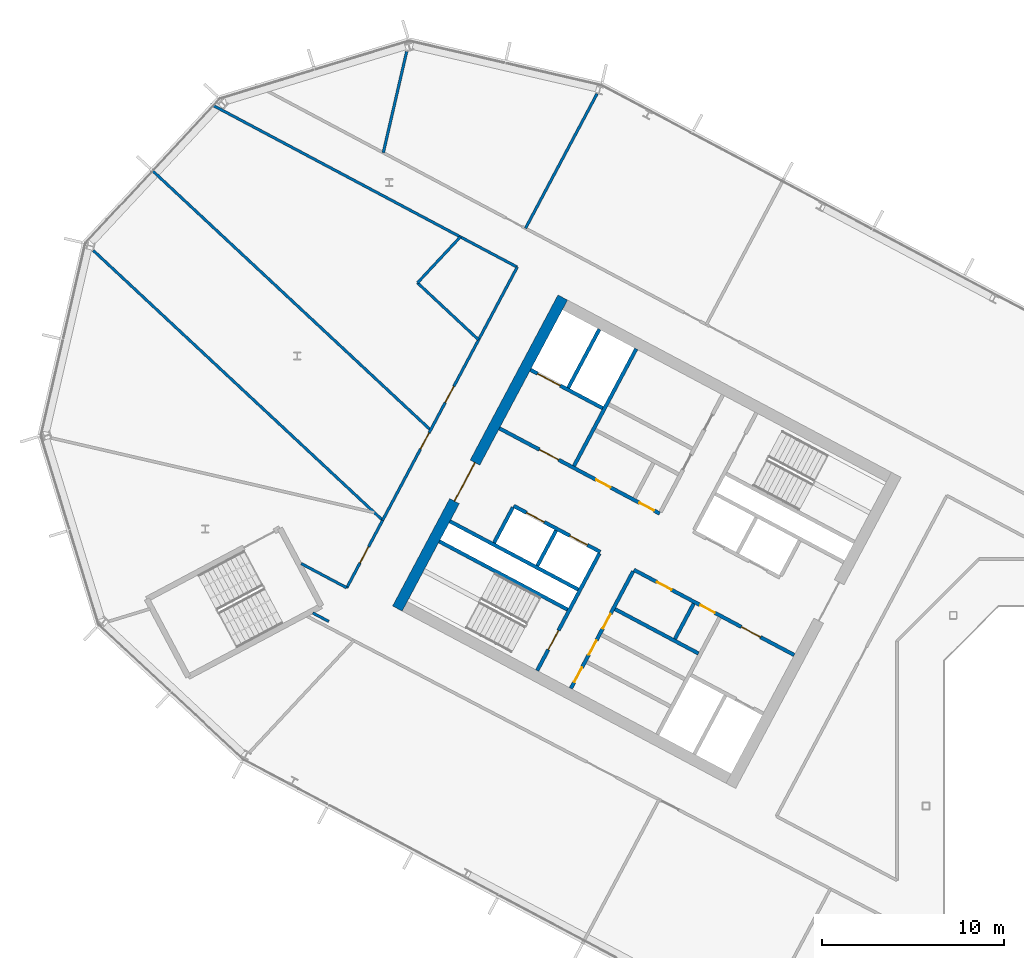
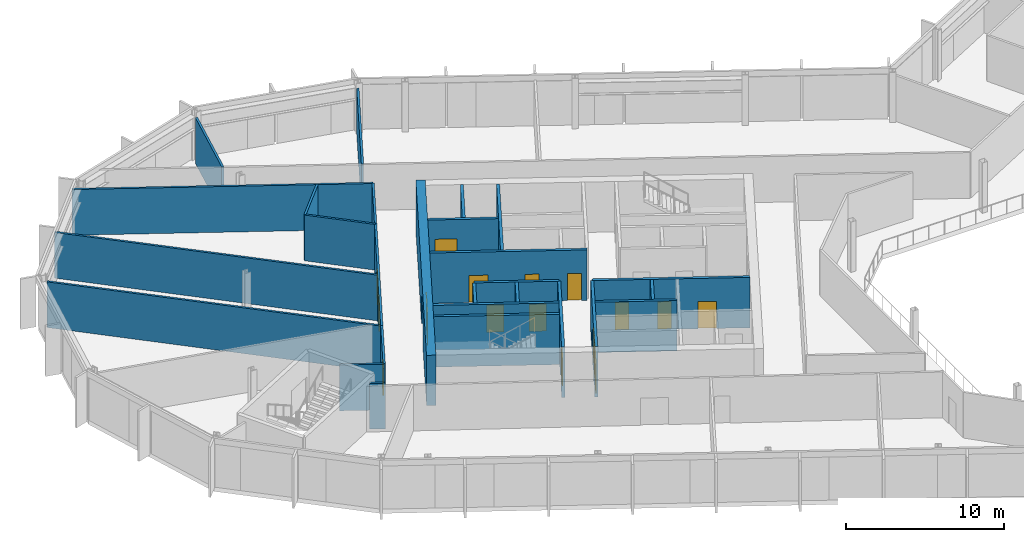
# One storey, part 13 of 26: 26 walls, 17 doors, 17 openings.
"""IFC4 building model written with IfcOpenShell, lengths in metres."""

from ifc_helpers import new_model, si_unit, direction, frame, frame_2d, origin, place, context, subcontext, project, spatial, rectangle, extrude, material, layer, layer_set, type_object, element, fill, save


model = new_model("IFC4")

# Units and contexts
model_context = context("Model", 3, precision=1e-05, world=origin(), true_north=direction((0.0, 1.0)))
body_context = subcontext(model_context, "Body", "Model", "MODEL_VIEW")
ifc_project = project(units=[si_unit("LENGTHUNIT", "METRE"), si_unit("AREAUNIT", "SQUARE_METRE"), si_unit("VOLUMEUNIT", "CUBIC_METRE"), si_unit("PLANEANGLEUNIT", "RADIAN"), si_unit("MASSUNIT", "GRAM", prefix="KILO")], contexts=[model_context])

# Site, building, storey
site_placement = place(None, origin())
site = spatial("IfcSite", under=ifc_project, at=site_placement, CompositionType="ELEMENT")
building_placement = place(site_placement, origin())
building = spatial("IfcBuilding", under=site, at=building_placement, Name="Cormorant Relay Tower", CompositionType="ELEMENT")
storey_placement = place(building_placement, frame((0.0, 0.0, 213.0)))
storey = spatial("IfcBuildingStorey", under=building, at=storey_placement, Name="L46", CompositionType="ELEMENT", Elevation=213.0)

# Walls
ifc_material_1 = material(Name="Concrete 40 MPa", Category="concrete")
ifc_layer_1 = layer(ifc_material_1, 0.199951171875)
ifc_layer_set_1 = layer_set([ifc_layer_1], Name="Core internal wall 200")
wall_type_1 = type_object("IfcWallType", Name="Core internal wall 200", PredefinedType="SOLIDWALL", material=ifc_layer_set_1)
for number, where, z_axis, x_axis, name in (
    (1, (-24.79052734375, 11.142822265625, 0.0), (0.0, 0.0, 1.0), (-0.469487830541, -0.882938942948, 0.0), "L46 core A shaft and room wall"),
    (2, (-32.3662109375, 15.1708984375, 0.0), (0.0, 0.0, 1.0), (-0.469487830541, -0.882938942948, 0.0), "L46 core A shaft and room wall"),
):
    element("IfcWall", number, at=place(storey_placement, frame(where, z_axis=z_axis, x_axis=x_axis)), inside=storey, type_object=wall_type_1, Name=name, PredefinedType="SOLIDWALL", context=body_context, shape_type="SweptSolid", body=[
        extrude(rectangle(XDim=2.2001953125, YDim=0.199951171875, at=frame_2d((1.10009765625, 0.0))), origin(), (0.0, 0.0, 1.0), 3.89990234375),
    ])

# Wall, openings, doors
ifc_material_2 = material(Name="Concrete 50 MPa", Category="concrete")
ifc_layer_2 = layer(ifc_material_2, 0.199951171875)
ifc_layer_set_2 = layer_set([ifc_layer_2], Name="Core shaft wall 200")
wall_type_2 = type_object("IfcWallType", Name="Core shaft wall 200", PredefinedType="SHEAR", material=ifc_layer_set_2)
wall_1_placement = place(storey_placement, frame((-28.128173828125, 12.91748046875, 0.0), z_axis=(0.0, 0.0, 1.0), x_axis=(-0.469454336211, -0.882956752176, 0.0)))
wall_1 = element("IfcWall", 3, at=wall_1_placement, inside=storey, type_object=wall_type_2, Name="L46 core A shaft wall", PredefinedType="SHEAR", context=body_context, shape_type="SweptSolid", body=[
    extrude(rectangle(XDim=7.300048828125, YDim=0.199951171875, at=frame_2d((3.64990234375, 0.0))), origin(), (0.0, 0.0, 1.0), 3.89990234375),
])
opening_1_placement = place(wall_1_placement, frame((2.64990234375, 0.0, 0.0)))
opening_1 = element("IfcOpeningElement", 4, at=opening_1_placement, cuts=wall_1, Name="Opening CDD-268", PredefinedType="OPENING", context=body_context, shape_type="SweptSolid", body=[
    extrude(rectangle(XDim=0.89990234375, YDim=2.10009765625, at=frame_2d((0.449951171875, 1.050048828125))), frame((0.0, 0.10986328125, 0.0), z_axis=(0.0, -1.0, 0.0), x_axis=(1.0, 0.0, 0.0)), (0.0, 0.0, 1.0), 0.219970703125),
])
opening_2_placement = place(wall_1_placement, frame((4.300048828125, 0.0, 0.0)))
opening_2 = element("IfcOpeningElement", 5, at=opening_2_placement, cuts=wall_1, Name="Opening CDD-269", PredefinedType="OPENING", context=body_context, shape_type="SweptSolid", body=[
    extrude(rectangle(XDim=0.89990234375, YDim=2.10009765625, at=frame_2d((0.449951171875, 1.050048828125))), frame((0.0, 0.10986328125, 0.0), z_axis=(0.0, -1.0, 0.0), x_axis=(1.0, 0.0, 0.0)), (0.0, 0.0, 1.0), 0.219970703125),
])
opening_3_placement = place(wall_1_placement, frame((6.0, 0.0, 0.0)))
opening_3 = element("IfcOpeningElement", 6, at=opening_3_placement, cuts=wall_1, Name="Opening CDD-270", PredefinedType="OPENING", context=body_context, shape_type="SweptSolid", body=[
    extrude(rectangle(XDim=0.89990234375, YDim=2.10009765625, at=frame_2d((0.449951171875, 1.050048828125))), frame((0.0, 0.10986328125, 0.0), z_axis=(0.0, -1.0, 0.0), x_axis=(1.0, 0.0, 0.0)), (0.0, 0.0, 1.0), 0.219970703125),
])
ifc_material_3 = material(Name="Steel fire door", Category="steel")
door_type_1 = type_object("IfcDoorType", Name="Core room door 900x2100", OperationType="SINGLE_SWING_LEFT", PredefinedType="DOOR", material=ifc_material_3)
door_1_placement = place(opening_1_placement, origin())
door_1 = element("IfcDoor", 7, at=door_1_placement, inside=storey, type_object=door_type_1, Name="Core room door 900x2100", OperationType="SINGLE_SWING_LEFT", OverallHeight=2.10009765625, OverallWidth=0.89990234375, PredefinedType="DOOR", context=body_context, shape_type="SweptSolid", body=[
    extrude(rectangle(XDim=0.89990234375, YDim=2.10009765625, at=frame_2d((0.449951171875, 1.050048828125))), frame((0.0, 0.02490234375, 0.0), z_axis=(0.0, -1.0, 0.0), x_axis=(1.0, 0.0, 0.0)), (0.0, 0.0, 1.0), 0.050048828125),
])
fill(opening_1, door_1)
door_2_placement = place(opening_2_placement, origin())
door_2 = element("IfcDoor", 8, at=door_2_placement, inside=storey, type_object=door_type_1, Name="Core room door 900x2100", OperationType="SINGLE_SWING_LEFT", OverallHeight=2.10009765625, OverallWidth=0.89990234375, PredefinedType="DOOR", context=body_context, shape_type="SweptSolid", body=[
    extrude(rectangle(XDim=0.89990234375, YDim=2.10009765625, at=frame_2d((0.449951171875, 1.050048828125))), frame((0.0, 0.02490234375, 0.0), z_axis=(0.0, -1.0, 0.0), x_axis=(1.0, 0.0, 0.0)), (0.0, 0.0, 1.0), 0.050048828125),
])
fill(opening_2, door_2)
door_3_placement = place(opening_3_placement, origin())
door_3 = element("IfcDoor", 9, at=door_3_placement, inside=storey, type_object=door_type_1, Name="Core room door 900x2100", OperationType="SINGLE_SWING_LEFT", OverallHeight=2.10009765625, OverallWidth=0.89990234375, PredefinedType="DOOR", context=body_context, shape_type="SweptSolid", body=[
    extrude(rectangle(XDim=0.89990234375, YDim=2.10009765625, at=frame_2d((0.449951171875, 1.050048828125))), frame((0.0, 0.02490234375, 0.0), z_axis=(0.0, -1.0, 0.0), x_axis=(1.0, 0.0, 0.0)), (0.0, 0.0, 1.0), 0.050048828125),
])
fill(opening_3, door_3)

# Wall, opening, door
wall_2_placement = place(storey_placement, frame((-29.982421875, 13.9033203125, 0.0), z_axis=(0.0, 0.0, 1.0), x_axis=(-0.469454336211, -0.882956752176, 0.0)))
wall_2 = element("IfcWall", 10, at=wall_2_placement, inside=storey, type_object=wall_type_2, Name="L46 core A shaft wall", PredefinedType="SHEAR", context=body_context, shape_type="SweptSolid", body=[
    extrude(rectangle(XDim=7.300048828125, YDim=0.199951171875, at=frame_2d((3.64990234375, 0.0))), origin(), (0.0, 0.0, 1.0), 3.89990234375),
])
opening_4_placement = place(wall_2_placement, frame((4.800048828125, 0.0, 0.0)))
opening_4 = element("IfcOpeningElement", 11, at=opening_4_placement, cuts=wall_2, Name="Opening CDB-039", PredefinedType="OPENING", context=body_context, shape_type="SweptSolid", body=[
    extrude(rectangle(XDim=1.199951171875, YDim=2.10009765625, at=frame_2d((0.60009765625, 1.050048828125))), frame((0.0, 0.10986328125, 0.0), z_axis=(0.0, -1.0, 0.0), x_axis=(1.0, 0.0, 0.0)), (0.0, 0.0, 1.0), 0.219970703125),
])
ifc_material_4 = material(Name="Steel fire door", Category="steel")
door_type_2 = type_object("IfcDoorType", Name="Core stair door 1200x2100", OperationType="SINGLE_SWING_LEFT", PredefinedType="DOOR", material=ifc_material_4)
door_4_placement = place(opening_4_placement, frame((1.199951171875, 0.0, 0.0), z_axis=(0.0, 0.0, 1.0), x_axis=(-1.0, 0.0, 0.0)))
door_4 = element("IfcDoor", 12, at=door_4_placement, inside=storey, type_object=door_type_2, Name="Core stair door 1200x2100", OperationType="SINGLE_SWING_RIGHT", OverallHeight=2.10009765625, OverallWidth=1.199951171875, PredefinedType="DOOR", context=body_context, shape_type="SweptSolid", body=[
    extrude(rectangle(XDim=1.199951171875, YDim=2.10009765625, at=frame_2d((0.60009765625, 1.050048828125))), frame((0.0, 0.02490234375, 0.0), z_axis=(0.0, -1.0, 0.0), x_axis=(1.0, 0.0, 0.0)), (0.0, 0.0, 1.0), 0.050048828125),
])
fill(opening_4, door_4)

# Walls
wall_3_placement = place(storey_placement, frame((-27.955322265625, 25.170654296875, 0.0), z_axis=(0.0, 0.0, 1.0), x_axis=(-0.469480409012, -0.88294288918, 0.0)))
element("IfcWall", 13, at=wall_3_placement, inside=storey, type_object=wall_type_2, Name="L46 core A shaft wall", PredefinedType="SHEAR", context=body_context, shape_type="SweptSolid", body=[
    extrude(rectangle(XDim=7.300048828125, YDim=0.199951171875, at=frame_2d((3.64990234375, 0.0))), origin(), (0.0, 0.0, 1.0), 3.89990234375),
])
wall_4_placement = place(storey_placement, frame((-34.750244140625, 16.4384765625, 0.0), z_axis=(0.0, 0.0, 1.0), x_axis=(-0.469401318492, -0.882984938828, 0.0)))
element("IfcWall", 14, at=wall_4_placement, inside=storey, type_object=wall_type_2, Name="L46 core A shaft wall", PredefinedType="SHEAR", context=body_context, shape_type="SweptSolid", body=[
    extrude(rectangle(XDim=2.199951171875, YDim=0.199951171875, at=frame_2d((1.10009765625, 0.0))), origin(), (0.0, 0.0, 1.0), 3.89990234375),
])
wall_5_placement = place(storey_placement, frame((-29.986083984375, 26.250244140625, 0.0), z_axis=(0.0, 0.0, 1.0), x_axis=(-0.469494272526, -0.882935517501, 0.0)))
element("IfcWall", 15, at=wall_5_placement, inside=storey, type_object=wall_type_2, Name="L46 core A shaft wall", PredefinedType="SHEAR", context=body_context, shape_type="SweptSolid", body=[
    extrude(rectangle(XDim=3.64990234375, YDim=0.199951171875, at=frame_2d((1.824951171875, 0.0))), origin(), (0.0, 0.0, 1.0), 3.89990234375),
])

# Wall, opening, door
wall_6_placement = place(storey_placement, frame((-29.80419921875, 21.906494140625, 0.0), z_axis=(0.0, 0.0, 1.0), x_axis=(-0.882960433586, 0.469447412093, 0.0)))
wall_6 = element("IfcWall", 16, at=wall_6_placement, inside=storey, type_object=wall_type_2, Name="L46 core A shaft wall", PredefinedType="SHEAR", context=body_context, shape_type="SweptSolid", body=[
    extrude(rectangle(XDim=4.5, YDim=0.199951171875, at=frame_2d((2.25, 0.0))), origin(), (0.0, 0.0, 1.0), 3.89990234375),
])
opening_5_placement = place(wall_6_placement, frame((2.64990234375, 0.0, 0.0)))
opening_5 = element("IfcOpeningElement", 17, at=opening_5_placement, cuts=wall_6, Name="Opening LD3-015", PredefinedType="OPENING", context=body_context, shape_type="SweptSolid", body=[
    extrude(rectangle(XDim=1.39990234375, YDim=2.39990234375, at=frame_2d((0.699951171875, 1.199951171875))), frame((0.0, 0.10986328125, 0.0), z_axis=(0.0, -1.0, 0.0), x_axis=(1.0, 0.0, 0.0)), (0.0, 0.0, 1.0), 0.219970703125),
])
ifc_material_5 = material(Name="Stainless steel 316", Category="steel")
door_type_3 = type_object("IfcDoorType", Name="Lift landing door 1400x2400", OperationType="DOUBLE_DOOR_SLIDING", PredefinedType="DOOR", material=ifc_material_5)
door_5_placement = place(opening_5_placement, origin())
door_5 = element("IfcDoor", 18, at=door_5_placement, inside=storey, type_object=door_type_3, Name="SV1 landing door", OperationType="DOUBLE_DOOR_SLIDING", OverallHeight=2.39990234375, OverallWidth=1.39990234375, PredefinedType="DOOR", context=body_context, shape_type="SweptSolid", body=[
    extrude(rectangle(XDim=1.39990234375, YDim=2.39990234375, at=frame_2d((0.699951171875, 1.199951171875))), frame((0.0, 0.02490234375, 0.0), z_axis=(0.0, -1.0, 0.0), x_axis=(1.0, 0.0, 0.0)), (0.0, 0.0, 1.0), 0.050048828125),
])
fill(opening_5, door_5)

# Wall, openings, doors
wall_7_placement = place(storey_placement, frame((-26.66162109375, 16.1015625, 0.0), z_axis=(0.0, 0.0, 1.0), x_axis=(-0.882940221191, 0.469485426614, 0.0)))
wall_7 = element("IfcWall", 19, at=wall_7_placement, inside=storey, type_object=wall_type_2, Name="L46 core A shaft wall", PredefinedType="SHEAR", context=body_context, shape_type="SweptSolid", body=[
    extrude(rectangle(XDim=10.0, YDim=0.199951171875, at=frame_2d((5.0, 0.0))), origin(), (0.0, 0.0, 1.0), 3.89990234375),
])
opening_6_placement = place(wall_7_placement, frame((6.300048828125, 0.0, 0.0)))
opening_6 = element("IfcOpeningElement", 20, at=opening_6_placement, cuts=wall_7, Name="Opening CDC-034", PredefinedType="OPENING", context=body_context, shape_type="SweptSolid", body=[
    extrude(rectangle(XDim=1.199951171875, YDim=2.10009765625, at=frame_2d((0.60009765625, 1.050048828125))), frame((0.0, 0.10986328125, 0.0), z_axis=(0.0, -1.0, 0.0), x_axis=(1.0, 0.0, 0.0)), (0.0, 0.0, 1.0), 0.219970703125),
])
opening_7_placement = place(wall_7_placement, frame((0.360107421875, 0.0, 0.0)))
opening_7 = element("IfcOpeningElement", 21, at=opening_7_placement, cuts=wall_7, Name="Opening CDD-234", PredefinedType="OPENING", context=body_context, shape_type="SweptSolid", body=[
    extrude(rectangle(XDim=0.89990234375, YDim=2.10009765625, at=frame_2d((0.449951171875, 1.050048828125))), frame((0.0, 0.10986328125, 0.0), z_axis=(0.0, -1.0, 0.0), x_axis=(1.0, 0.0, 0.0)), (0.0, 0.0, 1.0), 0.219970703125),
])
opening_8_placement = place(wall_7_placement, frame((3.06005859375, 0.0, 0.0)))
opening_8 = element("IfcOpeningElement", 22, at=opening_8_placement, cuts=wall_7, Name="Opening CDD-235", PredefinedType="OPENING", context=body_context, shape_type="SweptSolid", body=[
    extrude(rectangle(XDim=0.89990234375, YDim=2.10009765625, at=frame_2d((0.449951171875, 1.050048828125))), frame((0.0, 0.10986328125, 0.0), z_axis=(0.0, -1.0, 0.0), x_axis=(1.0, 0.0, 0.0)), (0.0, 0.0, 1.0), 0.219970703125),
])
ifc_material_6 = material(Name="Steel fire door", Category="steel")
door_type_4 = type_object("IfcDoorType", Name="Core lobby door 1200x2100", OperationType="SINGLE_SWING_LEFT", PredefinedType="DOOR", material=ifc_material_6)
door_6_placement = place(opening_6_placement, origin())
door_6 = element("IfcDoor", 23, at=door_6_placement, inside=storey, type_object=door_type_4, Name="Core lobby door 1200x2100", OperationType="SINGLE_SWING_LEFT", OverallHeight=2.10009765625, OverallWidth=1.199951171875, PredefinedType="DOOR", context=body_context, shape_type="SweptSolid", body=[
    extrude(rectangle(XDim=1.199951171875, YDim=2.10009765625, at=frame_2d((0.60009765625, 1.050048828125))), frame((0.0, 0.02490234375, 0.0), z_axis=(0.0, -1.0, 0.0), x_axis=(1.0, 0.0, 0.0)), (0.0, 0.0, 1.0), 0.050048828125),
])
fill(opening_6, door_6)
door_7_placement = place(opening_7_placement, frame((0.89990234375, 0.0, 0.0), z_axis=(0.0, 0.0, 1.0), x_axis=(-1.0, 0.0, 0.0)))
door_7 = element("IfcDoor", 24, at=door_7_placement, inside=storey, type_object=door_type_1, Name="Core room door 900x2100", OperationType="SINGLE_SWING_RIGHT", OverallHeight=2.10009765625, OverallWidth=0.89990234375, PredefinedType="DOOR", context=body_context, shape_type="SweptSolid", body=[
    extrude(rectangle(XDim=0.89990234375, YDim=2.10009765625, at=frame_2d((0.449951171875, 1.050048828125))), frame((0.0, 0.02490234375, 0.0), z_axis=(0.0, -1.0, 0.0), x_axis=(1.0, 0.0, 0.0)), (0.0, 0.0, 1.0), 0.050048828125),
])
fill(opening_7, door_7)
door_8_placement = place(opening_8_placement, frame((0.89990234375, 0.0, 0.0), z_axis=(0.0, 0.0, 1.0), x_axis=(-1.0, 0.0, 0.0)))
door_8 = element("IfcDoor", 25, at=door_8_placement, inside=storey, type_object=door_type_1, Name="Core room door 900x2100", OperationType="SINGLE_SWING_RIGHT", OverallHeight=2.10009765625, OverallWidth=0.89990234375, PredefinedType="DOOR", context=body_context, shape_type="SweptSolid", body=[
    extrude(rectangle(XDim=0.89990234375, YDim=2.10009765625, at=frame_2d((0.449951171875, 1.050048828125))), frame((0.0, 0.02490234375, 0.0), z_axis=(0.0, -1.0, 0.0), x_axis=(1.0, 0.0, 0.0)), (0.0, 0.0, 1.0), 0.050048828125),
])
fill(opening_8, door_8)

wall_8_placement = place(storey_placement, frame((-19.251708984375, 8.31103515625, 0.0), z_axis=(0.0, 0.0, 1.0), x_axis=(-0.882955722218, 0.469456273365, 0.0)))
wall_8 = element("IfcWall", 26, at=wall_8_placement, inside=storey, type_object=wall_type_2, Name="L46 core A shaft wall", PredefinedType="SHEAR", context=body_context, shape_type="SweptSolid", body=[
    extrude(rectangle(XDim=10.0, YDim=0.199951171875, at=frame_2d((5.0, 0.0))), origin(), (0.0, 0.0, 1.0), 3.89990234375),
])
opening_9_placement = place(wall_8_placement, frame((2.10009765625, 0.0, 0.0)))
opening_9 = element("IfcOpeningElement", 27, at=opening_9_placement, cuts=wall_8, Name="Opening CDC-033", PredefinedType="OPENING", context=body_context, shape_type="SweptSolid", body=[
    extrude(rectangle(XDim=1.199951171875, YDim=2.10009765625, at=frame_2d((0.60009765625, 1.050048828125))), frame((0.0, 0.10986328125, 0.0), z_axis=(0.0, -1.0, 0.0), x_axis=(1.0, 0.0, 0.0)), (0.0, 0.0, 1.0), 0.219970703125),
])
opening_10_placement = place(wall_8_placement, frame((4.9599609375, 0.0, 0.0)))
opening_10 = element("IfcOpeningElement", 28, at=opening_10_placement, cuts=wall_8, Name="Opening CDD-232", PredefinedType="OPENING", context=body_context, shape_type="SweptSolid", body=[
    extrude(rectangle(XDim=0.89990234375, YDim=2.10009765625, at=frame_2d((0.449951171875, 1.050048828125))), frame((0.0, 0.10986328125, 0.0), z_axis=(0.0, -1.0, 0.0), x_axis=(1.0, 0.0, 0.0)), (0.0, 0.0, 1.0), 0.219970703125),
])
opening_11_placement = place(wall_8_placement, frame((7.659912109375, 0.0, 0.0)))
opening_11 = element("IfcOpeningElement", 29, at=opening_11_placement, cuts=wall_8, Name="Opening CDD-233", PredefinedType="OPENING", context=body_context, shape_type="SweptSolid", body=[
    extrude(rectangle(XDim=0.89990234375, YDim=2.10009765625, at=frame_2d((0.449951171875, 1.050048828125))), frame((0.0, 0.10986328125, 0.0), z_axis=(0.0, -1.0, 0.0), x_axis=(1.0, 0.0, 0.0)), (0.0, 0.0, 1.0), 0.219970703125),
])
door_9_placement = place(opening_9_placement, origin())
door_9 = element("IfcDoor", 30, at=door_9_placement, inside=storey, type_object=door_type_4, Name="Core lobby door 1200x2100", OperationType="SINGLE_SWING_RIGHT", OverallHeight=2.10009765625, OverallWidth=1.199951171875, PredefinedType="DOOR", context=body_context, shape_type="SweptSolid", body=[
    extrude(rectangle(XDim=1.199951171875, YDim=2.10009765625, at=frame_2d((0.60009765625, 1.050048828125))), frame((0.0, 0.02490234375, 0.0), z_axis=(0.0, -1.0, 0.0), x_axis=(1.0, 0.0, 0.0)), (0.0, 0.0, 1.0), 0.050048828125),
])
fill(opening_9, door_9)
door_10_placement = place(opening_10_placement, origin())
door_10 = element("IfcDoor", 31, at=door_10_placement, inside=storey, type_object=door_type_1, Name="Core room door 900x2100", OperationType="SINGLE_SWING_LEFT", OverallHeight=2.10009765625, OverallWidth=0.89990234375, PredefinedType="DOOR", context=body_context, shape_type="SweptSolid", body=[
    extrude(rectangle(XDim=0.89990234375, YDim=2.10009765625, at=frame_2d((0.449951171875, 1.050048828125))), frame((0.0, 0.02490234375, 0.0), z_axis=(0.0, -1.0, 0.0), x_axis=(1.0, 0.0, 0.0)), (0.0, 0.0, 1.0), 0.050048828125),
])
fill(opening_10, door_10)
door_11_placement = place(opening_11_placement, origin())
door_11 = element("IfcDoor", 32, at=door_11_placement, inside=storey, type_object=door_type_1, Name="Core room door 900x2100", OperationType="SINGLE_SWING_LEFT", OverallHeight=2.10009765625, OverallWidth=0.89990234375, PredefinedType="DOOR", context=body_context, shape_type="SweptSolid", body=[
    extrude(rectangle(XDim=0.89990234375, YDim=2.10009765625, at=frame_2d((0.449951171875, 1.050048828125))), frame((0.0, 0.02490234375, 0.0), z_axis=(0.0, -1.0, 0.0), x_axis=(1.0, 0.0, 0.0)), (0.0, 0.0, 1.0), 0.050048828125),
])
fill(opening_11, door_11)

wall_9_placement = place(storey_placement, frame((-29.935302734375, 13.991455078125, 0.0), z_axis=(0.0, 0.0, 1.0), x_axis=(-0.882952937579, 0.469461510692, 0.0)))
wall_9 = element("IfcWall", 33, at=wall_9_placement, inside=storey, type_object=wall_type_2, Name="L46 core A shaft wall", PredefinedType="SHEAR", context=body_context, shape_type="SweptSolid", body=[
    extrude(rectangle(XDim=5.400146484375, YDim=0.199951171875, at=frame_2d((2.7001953125, 0.0))), origin(), (0.0, 0.0, 1.0), 3.89990234375),
])
opening_12_placement = place(wall_9_placement, frame((0.800048828125, 0.0, 0.0)))
opening_12 = element("IfcOpeningElement", 34, at=opening_12_placement, cuts=wall_9, Name="Opening LD1-059", PredefinedType="OPENING", context=body_context, shape_type="SweptSolid", body=[
    extrude(rectangle(XDim=1.10009765625, YDim=2.10009765625, at=frame_2d((0.550048828125, 1.050048828125))), frame((0.0, 0.10986328125, 0.0), z_axis=(0.0, -1.0, 0.0), x_axis=(1.0, 0.0, 0.0)), (0.0, 0.0, 1.0), 0.219970703125),
])
opening_13_placement = place(wall_9_placement, frame((3.5, 0.0, 0.0)))
opening_13 = element("IfcOpeningElement", 35, at=opening_13_placement, cuts=wall_9, Name="Opening LD1-060", PredefinedType="OPENING", context=body_context, shape_type="SweptSolid", body=[
    extrude(rectangle(XDim=1.10009765625, YDim=2.10009765625, at=frame_2d((0.550048828125, 1.050048828125))), frame((0.0, 0.10986328125, 0.0), z_axis=(0.0, -1.0, 0.0), x_axis=(1.0, 0.0, 0.0)), (0.0, 0.0, 1.0), 0.219970703125),
])
ifc_material_7 = material(Name="Stainless steel 316", Category="steel")
door_type_5 = type_object("IfcDoorType", Name="Lift landing door 1100x2100", OperationType="DOUBLE_DOOR_SLIDING", PredefinedType="DOOR", material=ifc_material_7)
door_12_placement = place(opening_12_placement, origin())
door_12 = element("IfcDoor", 36, at=door_12_placement, inside=storey, type_object=door_type_5, Name="MR1 landing door", OperationType="DOUBLE_DOOR_SLIDING", OverallHeight=2.10009765625, OverallWidth=1.10009765625, PredefinedType="DOOR", context=body_context, shape_type="SweptSolid", body=[
    extrude(rectangle(XDim=1.10009765625, YDim=2.10009765625, at=frame_2d((0.550048828125, 1.050048828125))), frame((0.0, 0.02490234375, 0.0), z_axis=(0.0, -1.0, 0.0), x_axis=(1.0, 0.0, 0.0)), (0.0, 0.0, 1.0), 0.050048828125),
])
fill(opening_12, door_12)
door_13_placement = place(opening_13_placement, origin())
door_13 = element("IfcDoor", 37, at=door_13_placement, inside=storey, type_object=door_type_5, Name="MR2 landing door", OperationType="DOUBLE_DOOR_SLIDING", OverallHeight=2.10009765625, OverallWidth=1.10009765625, PredefinedType="DOOR", context=body_context, shape_type="SweptSolid", body=[
    extrude(rectangle(XDim=1.10009765625, YDim=2.10009765625, at=frame_2d((0.550048828125, 1.050048828125))), frame((0.0, 0.02490234375, 0.0), z_axis=(0.0, -1.0, 0.0), x_axis=(1.0, 0.0, 0.0)), (0.0, 0.0, 1.0), 0.050048828125),
])
fill(opening_13, door_13)

# Walls
wall_10_placement = place(storey_placement, frame((-24.5283203125, 8.3984375, 0.0), z_axis=(0.0, 0.0, 1.0), x_axis=(-0.882953967957, 0.469459572775, 0.0)))
element("IfcWall", 38, at=wall_10_placement, inside=storey, type_object=wall_type_2, Name="L46 core A shaft wall", PredefinedType="SHEAR", context=body_context, shape_type="SweptSolid", body=[
    extrude(rectangle(XDim=5.199951171875, YDim=0.199951171875, at=frame_2d((2.60009765625, 0.0))), origin(), (0.0, 0.0, 1.0), 3.89990234375),
])
for number, where, z_axis, x_axis, name in (
    (39, (-31.150390625, 11.91943359375, 0.0), (0.0, 0.0, 1.0), (-0.882940221191, 0.469485426614, 0.0), "L46 core A shaft wall"),
    (40, (-31.7373046875, 10.815673828125, 0.0), (0.0, 0.0, 1.0), (-0.882940221191, 0.469485426614, 0.0), "L46 core A shaft wall"),
):
    element("IfcWall", number, at=place(storey_placement, frame(where, z_axis=z_axis, x_axis=x_axis)), inside=storey, type_object=wall_type_2, Name=name, PredefinedType="SHEAR", context=body_context, shape_type="SweptSolid", body=[
        extrude(rectangle(XDim=8.0, YDim=0.199951171875, at=frame_2d((4.0, 0.0))), origin(), (0.0, 0.0, 1.0), 3.89990234375),
    ])

# Wall, opening, door
ifc_material_8 = material(Name="Concrete 50 MPa", Category="concrete")
ifc_layer_3 = layer(ifc_material_8, 0.60009765625)
ifc_layer_set_3 = layer_set([ifc_layer_3], Name="Core wall 600")
wall_type_3 = type_object("IfcWallType", Name="Core wall 600", PredefinedType="SHEAR", material=ifc_layer_set_3)
wall_11_placement = place(storey_placement, frame((-32.000244140625, 28.000732421875, 0.0), z_axis=(0.0, 0.0, 1.0), x_axis=(-0.469468958625, -0.882948977511, 0.0)))
wall_11 = element("IfcWall", 41, at=wall_11_placement, inside=storey, type_object=wall_type_3, Name="L46 core A wall", PredefinedType="SHEAR", context=body_context, shape_type="SweptSolid", body=[
    extrude(rectangle(XDim=19.39990234375, YDim=0.60009765625, at=frame_2d((9.699951171875, 0.0))), origin(), (0.0, 0.0, 1.0), 3.89990234375),
])
opening_14_placement = place(wall_11_placement, frame((10.300048828125, 0.0, 0.0)))
opening_14 = element("IfcOpeningElement", 42, at=opening_14_placement, cuts=wall_11, Name="Opening CDA-041", PredefinedType="OPENING", context=body_context, shape_type="SweptSolid", body=[
    extrude(rectangle(XDim=2.39990234375, YDim=2.39990234375, at=frame_2d((1.199951171875, 1.199951171875))), frame((0.0, 0.31005859375, 0.0), z_axis=(0.0, -1.0, 0.0), x_axis=(1.0, 0.0, 0.0)), (0.0, 0.0, 1.0), 0.6201171875),
])
ifc_material_9 = material(Name="Steel fire door", Category="steel")
door_type_6 = type_object("IfcDoorType", Name="Core lobby door 2400x2400", OperationType="DOUBLE_DOOR_SINGLE_SWING", PredefinedType="DOOR", material=ifc_material_9)
door_14_placement = place(opening_14_placement, origin())
door_14 = element("IfcDoor", 43, at=door_14_placement, inside=storey, type_object=door_type_6, Name="Core lobby door 2400x2400", OperationType="DOUBLE_DOOR_SINGLE_SWING", OverallHeight=2.39990234375, OverallWidth=2.39990234375, PredefinedType="DOOR", context=body_context, shape_type="SweptSolid", body=[
    extrude(rectangle(XDim=2.39990234375, YDim=2.39990234375, at=frame_2d((1.199951171875, 1.199951171875))), frame((0.0, 0.02490234375, 0.0), z_axis=(0.0, -1.0, 0.0), x_axis=(1.0, 0.0, 0.0)), (0.0, 0.0, 1.0), 0.050048828125),
])
fill(opening_14, door_14)

# Wall, openings, doors
ifc_material_10 = material(Name="Gypsum board fire partition")
ifc_layer_4 = layer(ifc_material_10, 0.14990234375)
ifc_layer_set_4 = layer_set([ifc_layer_4], Name="Corridor partition 150 EI 60")
wall_type_4 = type_object("IfcWallType", Name="Corridor partition 150 EI 60", PredefinedType="PARTITIONING", material=ifc_layer_set_4)
wall_12_placement = place(storey_placement, frame((-41.9208984375, 15.73291015625, 0.0), z_axis=(0.0, 0.0, 1.0), x_axis=(0.469481161914, 0.882942488845, 0.0)))
wall_12 = element("IfcWall", 44, at=wall_12_placement, inside=storey, type_object=wall_type_4, Name="wall/L46/part/007", PredefinedType="PARTITIONING", context=body_context, shape_type="SweptSolid", body=[
    extrude(rectangle(XDim=15.78955078125, YDim=0.14990234375, at=frame_2d((7.894775390625, 0.0))), origin(), (0.0, 0.0, 1.0), 3.5400390625),
])
opening_15_placement = place(wall_12_placement, frame((7.35009765625, 0.0, 0.0)))
opening_15 = element("IfcOpeningElement", 45, at=opening_15_placement, cuts=wall_12, Name="Opening DS-141", PredefinedType="OPENING", context=body_context, shape_type="SweptSolid", body=[
    extrude(rectangle(XDim=1.0, YDim=2.10009765625, at=frame_2d((0.5, 1.050048828125))), frame((0.0, 0.0849609375, 0.0), z_axis=(0.0, -1.0, 0.0), x_axis=(1.0, 0.0, 0.0)), (0.0, 0.0, 1.0), 0.169921875),
])
opening_16_placement = place(wall_12_placement, frame((4.449951171875, 0.0, 0.0)))
opening_16 = element("IfcOpeningElement", 46, at=opening_16_placement, cuts=wall_12, Name="Opening DS-142", PredefinedType="OPENING", context=body_context, shape_type="SweptSolid", body=[
    extrude(rectangle(XDim=1.0, YDim=2.10009765625, at=frame_2d((0.5, 1.050048828125))), frame((0.0, 0.0849609375, 0.0), z_axis=(0.0, -1.0, 0.0), x_axis=(1.0, 0.0, 0.0)), (0.0, 0.0, 1.0), 0.169921875),
])
ifc_material_11 = material(Name="Timber door leaf", Category="wood")
door_type_7 = type_object("IfcDoorType", Name="Suite door 1000x2100", OperationType="SINGLE_SWING_LEFT", PredefinedType="DOOR", material=ifc_material_11)
door_15_placement = place(opening_15_placement, origin())
door_15 = element("IfcDoor", 47, at=door_15_placement, inside=storey, type_object=door_type_7, Name="door/L46/004", OperationType="SINGLE_SWING_RIGHT", OverallHeight=2.10009765625, OverallWidth=1.0, PredefinedType="DOOR", context=body_context, shape_type="SweptSolid", body=[
    extrude(rectangle(XDim=1.0, YDim=2.10009765625, at=frame_2d((0.5, 1.050048828125))), frame((0.0, 0.02490234375, 0.0), z_axis=(0.0, -1.0, 0.0), x_axis=(1.0, 0.0, 0.0)), (0.0, 0.0, 1.0), 0.050048828125),
])
fill(opening_15, door_15)
door_16_placement = place(opening_16_placement, origin())
door_16 = element("IfcDoor", 48, at=door_16_placement, inside=storey, type_object=door_type_7, Name="door/L46/005", OperationType="SINGLE_SWING_RIGHT", OverallHeight=2.10009765625, OverallWidth=1.0, PredefinedType="DOOR", context=body_context, shape_type="SweptSolid", body=[
    extrude(rectangle(XDim=1.0, YDim=2.10009765625, at=frame_2d((0.5, 1.050048828125))), frame((0.0, 0.02490234375, 0.0), z_axis=(0.0, -1.0, 0.0), x_axis=(1.0, 0.0, 0.0)), (0.0, 0.0, 1.0), 0.050048828125),
])
fill(opening_16, door_16)

# Walls
wall_13_placement = place(storey_placement, frame((-34.508056640625, 29.674072265625, 0.0), z_axis=(0.0, 0.0, 1.0), x_axis=(-0.882947928049, 0.469470932384, 0.0)))
element("IfcWall", 49, at=wall_13_placement, inside=storey, type_object=wall_type_4, Name="wall/L46/part/008", PredefinedType="PARTITIONING", context=body_context, shape_type="SweptSolid", body=[
    extrude(rectangle(XDim=19.1279296875, YDim=0.14990234375, at=frame_2d((9.56396484375, 0.0))), origin(), (0.0, 0.0, 1.0), 3.5400390625),
])
wall_14_placement = place(storey_placement, frame((-46.403076171875, 13.346923828125, 0.0), z_axis=(0.0, 0.0, 1.0), x_axis=(0.882942972946, -0.469480251476, 0.0)))
element("IfcWall", 50, at=wall_14_placement, inside=storey, type_object=wall_type_4, Name="wall/L46/part/013", PredefinedType="PARTITIONING", context=body_context, shape_type="SweptSolid", body=[
    extrude(rectangle(XDim=2.837158203125, YDim=0.14990234375, at=frame_2d((1.41845703125, 0.0))), origin(), (0.0, 0.0, 1.0), 3.5400390625),
])

# Wall, opening, door
wall_15_placement = place(storey_placement, frame((-41.9208984375, 15.73291015625, 0.0), z_axis=(0.0, 0.0, 1.0), x_axis=(-0.468752714774, -0.883329435937, 0.0)))
wall_15 = element("IfcWall", 51, at=wall_15_placement, inside=storey, type_object=wall_type_4, Name="wall/L46/part/014", PredefinedType="PARTITIONING", context=body_context, shape_type="SweptSolid", body=[
    extrude(rectangle(XDim=4.213623046875, YDim=0.14990234375, at=frame_2d((2.10693359375, 0.0))), origin(), (0.0, 0.0, 1.0), 3.5400390625),
])
opening_17_placement = place(wall_15_placement, frame((1.64990234375, 0.0, 0.0)))
opening_17 = element("IfcOpeningElement", 52, at=opening_17_placement, cuts=wall_15, Name="Opening DS-143", PredefinedType="OPENING", context=body_context, shape_type="SweptSolid", body=[
    extrude(rectangle(XDim=1.0, YDim=2.10009765625, at=frame_2d((0.5, 1.050048828125))), frame((0.0, 0.0849609375, 0.0), z_axis=(0.0, -1.0, 0.0), x_axis=(1.0, 0.0, 0.0)), (0.0, 0.0, 1.0), 0.169921875),
])
door_17_placement = place(opening_17_placement, frame((1.0, 0.0, 0.0), z_axis=(0.0, 0.0, 1.0), x_axis=(-1.0, 0.0, 0.0)))
door_17 = element("IfcDoor", 53, at=door_17_placement, inside=storey, type_object=door_type_7, Name="door/L46/006", OperationType="SINGLE_SWING_RIGHT", OverallHeight=2.10009765625, OverallWidth=1.0, PredefinedType="DOOR", context=body_context, shape_type="SweptSolid", body=[
    extrude(rectangle(XDim=1.0, YDim=2.10009765625, at=frame_2d((0.5, 1.050048828125))), frame((0.0, 0.02490234375, 0.0), z_axis=(0.0, -1.0, 0.0), x_axis=(1.0, 0.0, 0.0)), (0.0, 0.0, 1.0), 0.050048828125),
])
fill(opening_17, door_17)

# Walls
wall_16_placement = place(storey_placement, frame((-44.883056640625, 10.160888671875, 0.0), z_axis=(0.0, 0.0, 1.0), x_axis=(-0.883332602284, 0.468746747981, 0.0)))
element("IfcWall", 54, at=wall_16_placement, inside=storey, type_object=wall_type_4, Name="wall/L46/part/017", PredefinedType="PARTITIONING", context=body_context, shape_type="SweptSolid", body=[
    extrude(rectangle(XDim=1.005126953125, YDim=0.14990234375, at=frame_2d((0.50244140625, 0.0))), origin(), (0.0, 0.0, 1.0), 3.5400390625),
])
ifc_material_12 = material(Name="Gypsum board partition")
ifc_layer_5 = layer(ifc_material_12, 0.14990234375)
ifc_layer_set_5 = layer_set([ifc_layer_5], Name="Tenant partition 150")
wall_type_5 = type_object("IfcWallType", Name="Tenant partition 150", PredefinedType="PARTITIONING", material=ifc_layer_set_5)
wall_17_placement = place(storey_placement, frame((-54.714111328125, 35.095947265625, 0.0), z_axis=(0.0, 0.0, 1.0), x_axis=(0.731383697129, -0.681966192398, 0.0)))
element("IfcWall", 55, at=wall_17_placement, inside=storey, type_object=wall_type_5, Name="wall/L46/part/002", PredefinedType="PARTITIONING", context=body_context, shape_type="SweptSolid", body=[
    extrude(rectangle(XDim=21.105224609375, YDim=0.14990234375, at=frame_2d((10.552734375, 0.0))), origin(), (0.0, 0.0, 1.0), 3.5400390625),
])
wall_18_placement = place(storey_placement, frame((-41.919921875, 15.73388671875, 0.0), z_axis=(0.0, 0.0, 1.0), x_axis=(-0.731382644917, 0.681967320855, 0.0)))
element("IfcWall", 56, at=wall_18_placement, inside=storey, type_object=wall_type_5, Name="wall/L46/part/003", PredefinedType="PARTITIONING", context=body_context, shape_type="SweptSolid", body=[
    extrude(rectangle(XDim=21.79296875, YDim=0.14990234375, at=frame_2d((10.896484375, 0.0))), origin(), (0.0, 0.0, 1.0), 3.5400390625),
])
wall_19_placement = place(storey_placement, frame((-37.639892578125, 31.339111328125, 0.0), z_axis=(0.0, 0.0, 1.0), x_axis=(-0.681983873773, -0.731367210035, 0.0)))
element("IfcWall", 57, at=wall_19_placement, inside=storey, type_object=wall_type_5, Name="wall/L46/part/005", PredefinedType="PARTITIONING", context=body_context, shape_type="SweptSolid", body=[
    extrude(rectangle(XDim=3.460693359375, YDim=0.14990234375, at=frame_2d((1.73046875, 0.0))), origin(), (0.0, 0.0, 1.0), 3.5400390625),
])
wall_20_placement = place(storey_placement, frame((-40.0, 28.80810546875, 0.0), z_axis=(0.0, 0.0, 1.0), x_axis=(0.731231770063, -0.682129092218, 0.0)))
element("IfcWall", 58, at=wall_20_placement, inside=storey, type_object=wall_type_5, Name="wall/L46/part/006", PredefinedType="PARTITIONING", context=body_context, shape_type="SweptSolid", body=[
    extrude(rectangle(XDim=4.59912109375, YDim=0.14990234375, at=frame_2d((2.299560546875, 0.0))), origin(), (0.0, 0.0, 1.0), 3.5400390625),
])
wall_21_placement = place(storey_placement, frame((-30.110107421875, 39.22509765625, 0.0), z_axis=(0.0, 0.0, 1.0), x_axis=(-0.469401779971, -0.882984693502, 0.0)))
element("IfcWall", 59, at=wall_21_placement, inside=storey, type_object=wall_type_5, Name="wall/L46/part/018", PredefinedType="PARTITIONING", context=body_context, shape_type="SweptSolid", body=[
    extrude(rectangle(XDim=8.397705078125, YDim=0.14990234375, at=frame_2d((4.19873046875, 0.0))), origin(), (0.0, 0.0, 1.0), 3.5400390625),
])
wall_22_placement = place(storey_placement, frame((-41.883056640625, 35.97412109375, 0.0), z_axis=(0.0, 0.0, 1.0), x_axis=(0.225018240408, 0.97435455122, 0.0)))
element("IfcWall", 60, at=wall_22_placement, inside=storey, type_object=wall_type_5, Name="wall/L46/part/019", PredefinedType="PARTITIONING", context=body_context, shape_type="SweptSolid", body=[
    extrude(rectangle(XDim=5.728759765625, YDim=0.14990234375, at=frame_2d((2.8642578125, 0.0))), origin(), (0.0, 0.0, 1.0), 3.5400390625),
])

save(model, "model.ifc")
